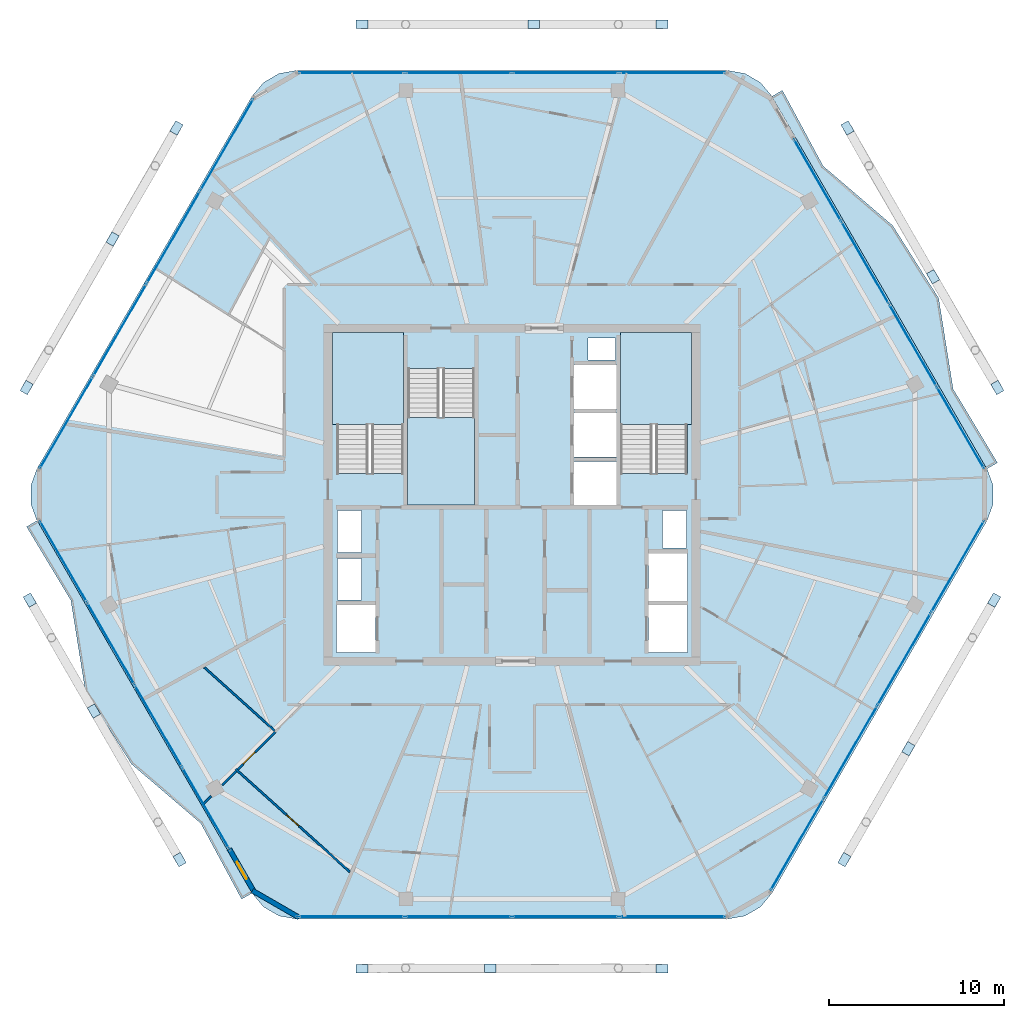
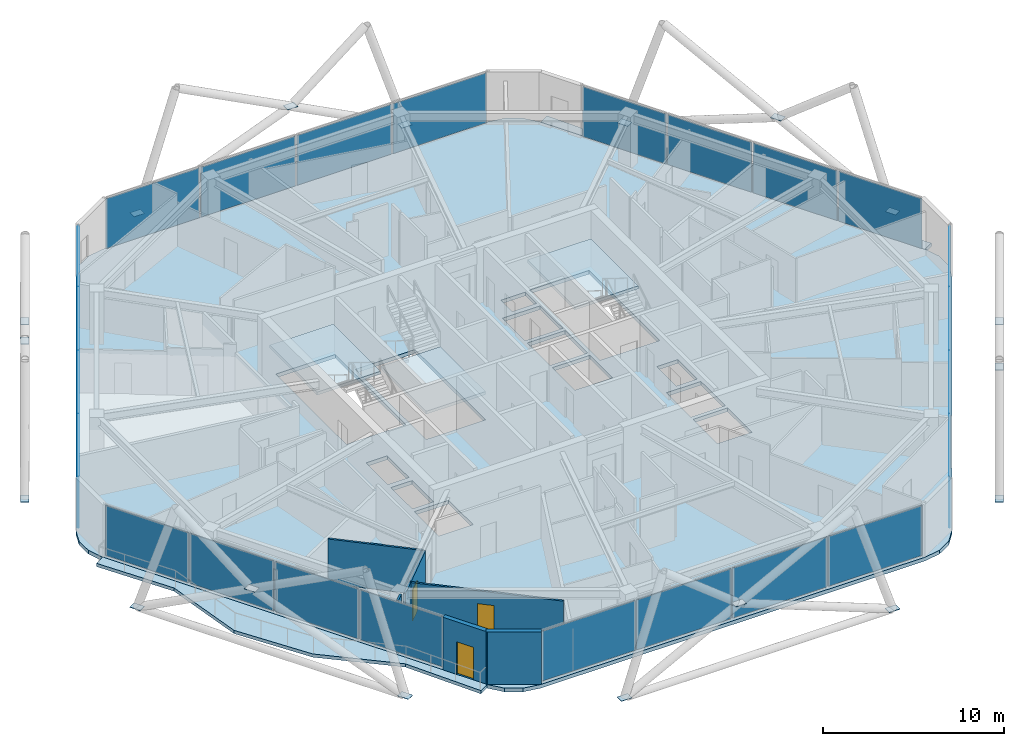
# One storey, part 15 of 23: 42 plates, 7 walls, 6 slabs, 3 doors, 3 openings, 9 elements without a shape of their own.
"""IFC4 building model written with IfcOpenShell, lengths in metres."""

from ifc_helpers import new_model, si_unit, direction, frame, frame_2d, origin, origin_2d, place, context, subcontext, project, spatial, polyline, rectangle, outline, extrude, material, layer, layer_set, type_object, element, fill, aggregate, save


model = new_model("IFC4")

# Units and contexts
model_context = context("Model", 3, precision=1e-05, world=origin(), true_north=direction((0.0, 1.0)))
body_context = subcontext(model_context, "Body", "Model", "MODEL_VIEW")
ifc_project = project(units=[si_unit("LENGTHUNIT", "METRE"), si_unit("AREAUNIT", "SQUARE_METRE"), si_unit("VOLUMEUNIT", "CUBIC_METRE"), si_unit("PLANEANGLEUNIT", "RADIAN"), si_unit("MASSUNIT", "GRAM", prefix="KILO")], contexts=[model_context])

# Site, building, storey
site_placement = place(None, origin())
site = spatial("IfcSite", under=ifc_project, at=site_placement, CompositionType="ELEMENT")
building_placement = place(site_placement, origin())
building = spatial("IfcBuilding", under=site, at=building_placement, Name="Zuhravey Tower", CompositionType="ELEMENT")
storey_placement = place(building_placement, frame((0.0, 0.0, 331.0)))
storey = spatial("IfcBuildingStorey", under=building, at=storey_placement, Name="L84", CompositionType="ELEMENT", Elevation=331.0)

# Plates
ifc_material_1 = material(Name="Steel SM460", Category="steel")
ifc_layer_1 = layer(ifc_material_1, 0.028076171875)
ifc_layer_set_1 = layer_set([ifc_layer_1], Name="Steel SM460")
plate_type_1 = type_object("IfcPlateType", Name="Exoskeleton Zone 4 Node Plate ND4", PredefinedType="SHEET", material=ifc_layer_set_1)
for number, where, z_axis, x_axis, name in (
    (1, (63.695556640625, 38.117919921875, -0.47802734375), (0.0, 0.0, 1.0), (-0.5, 0.866025403784, 0.0), "L84 Exoskeleton Node Gusset L84-01"),
    (2, (55.14599609375, 52.926025390625, -0.47802734375), (0.0, 0.0, 1.0), (-0.5, 0.866025403784, 0.0), "L84 Exoskeleton Node Gusset L84-02"),
    (3, (44.549560546875, 58.833984375, -0.47802734375), (0.0, 0.0, 1.0), (-1.0, 0.0, 0.0), "L84 Exoskeleton Node Gusset L84-03"),
    (4, (27.450439453125, 58.833984375, -0.47802734375), (0.0, 0.0, 1.0), (-1.0, 0.0, 0.0), "L84 Exoskeleton Node Gusset L84-04"),
    (5, (16.85400390625, 52.926025390625, -0.47802734375), (0.0, 0.0, 1.0), (-0.5, -0.866025403784, 0.0), "L84 Exoskeleton Node Gusset L84-05"),
    (6, (8.304443359375, 38.117919921875, -0.47802734375), (0.0, 0.0, 1.0), (-0.5, -0.866025403784, 0.0), "L84 Exoskeleton Node Gusset L84-06"),
    (7, (8.486328125, 25.987060546875, -0.47802734375), (0.0, 0.0, 1.0), (0.5, -0.866025403784, 0.0), "L84 Exoskeleton Node Gusset L84-07"),
    (8, (17.035888671875, 11.178955078125, -0.47802734375), (0.0, 0.0, 1.0), (0.5, -0.866025403784, 0.0), "L84 Exoskeleton Node Gusset L84-08"),
    (9, (27.450439453125, 4.955810546875, -0.47802734375), (0.0, 0.0, 1.0), (1.0, 0.0, 0.0), "L84 Exoskeleton Node Gusset L84-09"),
    (10, (44.549560546875, 4.955810546875, -0.47802734375), (0.0, 0.0, 1.0), (1.0, 0.0, 0.0), "L84 Exoskeleton Node Gusset L84-10"),
    (11, (54.964111328125, 11.178955078125, -0.47802734375), (0.0, 0.0, 1.0), (0.5, 0.866025403784, 0.0), "L84 Exoskeleton Node Gusset L84-11"),
    (12, (63.513671875, 25.987060546875, -0.47802734375), (0.0, 0.0, 1.0), (0.5, 0.866025403784, 0.0), "L84 Exoskeleton Node Gusset L84-12"),
    (13, (60.0283203125, 44.439697265625, 3.32177734375), (0.0, 0.0, 1.0), (-0.5, 0.866025403784, 0.0), "L84 Face 1 Diagrid X-Crossing Plate"),
    (14, (37.2412109375, 58.833984375, 3.32177734375), (0.0, 0.0, 1.0), (-1.0, 0.0, 0.0), "L84 Face 2 Diagrid X-Crossing Plate"),
    (15, (13.212646484375, 46.58935546875, 3.32177734375), (0.0, 0.0, 1.0), (-0.5, -0.866025403784, 0.0), "L84 Face 3 Diagrid X-Crossing Plate"),
    (16, (12.140380859375, 19.65771484375, 3.32177734375), (0.0, 0.0, 1.0), (0.5, -0.866025403784, 0.0), "L84 Face 4 Diagrid X-Crossing Plate"),
    (17, (34.7587890625, 4.970947265625, 3.32177734375), (0.0, 0.0, 1.0), (1.0, 0.0, 0.0), "L84 Face 5 Diagrid X-Crossing Plate"),
    (18, (58.618408203125, 17.50830078125, 3.32177734375), (0.0, 0.0, 1.0), (0.5, 0.866025403784, 0.0), "L84 Face 6 Diagrid X-Crossing Plate"),
):
    element("IfcPlate", number, at=place(storey_placement, frame(where, z_axis=z_axis, x_axis=x_axis)), inside=storey, type_object=plate_type_1, Name=name, PredefinedType="SHEET", context=body_context, shape_type="SweptSolid", body=[
        extrude(rectangle(XDim=0.679931640625, YDim=0.47998046875, at=origin_2d()), origin(), (0.0, 0.0, 1.0), 0.028076171875),
    ])

# Slabs
ifc_material_2 = material(Name="Concrete C50/60", Category="concrete")
ifc_layer_2 = layer(ifc_material_2, 0.25)
ifc_layer_set_2 = layer_set([ifc_layer_2], Name="Concrete C50/60")
slab_type_1 = type_object("IfcSlabType", Name="Residential Acoustic Slab 250", PredefinedType="FLOOR", material=ifc_layer_set_2)
slab_1_placement = place(storey_placement, frame((0.0, 0.0, -0.25)))
element("IfcSlab", 19, at=slab_1_placement, inside=storey, type_object=slab_type_1, Name="L84 Floor Slab FS25", PredefinedType="FLOOR", context=body_context, shape_type="SweptSolid", body=[
    extrude(outline(polyline([(63.1083984375, 30.52490234375), (63.458740234375, 31.48779296875), (63.458740234375, 32.51220703125), (63.1083984375, 33.47509765625), (50.83154296875, 54.739013671875), (50.173095703125, 55.52392578125), (49.285888671875, 56.0361328125), (48.27685546875, 56.214111328125), (23.72314453125, 56.214111328125), (22.714111328125, 56.0361328125), (21.826904296875, 55.52392578125), (21.16845703125, 54.739013671875), (8.8916015625, 33.47509765625), (8.541259765625, 32.51220703125), (8.541259765625, 31.48779296875), (8.8916015625, 30.52490234375), (21.16845703125, 9.260986328125), (21.826904296875, 8.47607421875), (22.714111328125, 7.9638671875), (23.72314453125, 7.785888671875), (48.27685546875, 7.785888671875), (49.285888671875, 7.9638671875), (50.173095703125, 8.47607421875), (50.83154296875, 9.260986328125), (63.1083984375, 30.52490234375)]), holes=[polyline([(29.800048828125, 33.20068359375), (29.800048828125, 41.0), (26.0, 41.0), (26.0, 33.20068359375), (29.800048828125, 33.20068359375)]), polyline([(46.0, 33.20068359375), (46.0, 41.0), (42.199951171875, 41.0), (42.199951171875, 33.20068359375), (46.0, 33.20068359375)]), polyline([(30.050048828125, 39.199462890625), (30.050048828125, 31.39990234375), (33.85009765625, 31.39990234375), (33.85009765625, 39.199462890625), (30.050048828125, 39.199462890625)]), polyline([(39.550048828125, 31.39990234375), (41.949951171875, 31.39990234375), (41.949951171875, 33.89990234375), (39.550048828125, 33.89990234375), (39.550048828125, 31.39990234375)]), polyline([(39.550048828125, 34.14990234375), (41.949951171875, 34.14990234375), (41.949951171875, 36.64990234375), (39.550048828125, 36.64990234375), (39.550048828125, 34.14990234375)]), polyline([(39.550048828125, 36.89990234375), (41.949951171875, 36.89990234375), (41.949951171875, 39.39990234375), (39.550048828125, 39.39990234375), (39.550048828125, 36.89990234375)]), polyline([(26.0, 23.0), (28.199951171875, 23.0), (28.199951171875, 25.699951171875), (26.0, 25.699951171875), (26.0, 23.0)]), polyline([(43.800048828125, 23.0), (46.0, 23.0), (46.0, 25.699951171875), (43.800048828125, 25.699951171875), (43.800048828125, 23.0)]), polyline([(43.800048828125, 25.949951171875), (46.0, 25.949951171875), (46.0, 28.64990234375), (43.800048828125, 28.64990234375), (43.800048828125, 25.949951171875)]), polyline([(26.050048828125, 26.0), (27.39990234375, 26.0), (27.39990234375, 28.35009765625), (26.050048828125, 28.35009765625), (26.050048828125, 26.0)]), polyline([(26.050048828125, 28.699951171875), (27.39990234375, 28.699951171875), (27.39990234375, 31.10009765625), (26.050048828125, 31.10009765625), (26.050048828125, 28.699951171875)]), polyline([(44.60009765625, 28.949951171875), (45.949951171875, 28.949951171875), (45.949951171875, 31.10009765625), (44.60009765625, 31.10009765625), (44.60009765625, 28.949951171875)]), polyline([(40.35009765625, 39.699951171875), (41.89990234375, 39.699951171875), (41.89990234375, 40.949951171875), (40.35009765625, 40.949951171875), (40.35009765625, 39.699951171875)])]), origin(), (0.0, 0.0, 1.0), 0.25),
])
ifc_material_3 = material(Name="Concrete C40/50", Category="concrete")
ifc_layer_3 = layer(ifc_material_3, 0.219970703125)
ifc_layer_set_3 = layer_set([ifc_layer_3], Name="Concrete C40/50")
slab_type_2 = type_object("IfcSlabType", Name="Sinusoidal Residential Wave Balcony 220", PredefinedType="FLOOR", material=ifc_layer_set_3)
slab_2_placement = place(storey_placement, frame((0.0, 0.0, -0.219970703125)))
element("IfcSlab", 20, at=slab_2_placement, inside=storey, type_object=slab_type_2, Name="L84 Face 1 Wave Balcony WB22", PredefinedType="FLOOR", context=body_context, shape_type="SweptSolid", body=[
    extrude(outline(polyline([(63.091064453125, 33.47509765625), (50.822998046875, 54.72412109375), (51.42919921875, 55.07421875), (53.7548828125, 50.75048828125), (57.71142578125, 47.368408203125), (60.341552734375, 43.220458984375), (61.169189453125, 38.031982421875), (63.697265625, 33.824951171875), (63.091064453125, 33.47509765625)])), origin(), (0.0, 0.0, 1.0), 0.219970703125),
])
slab_3_placement = place(storey_placement, frame((0.0, 0.0, -0.219970703125)))
element("IfcSlab", 21, at=slab_3_placement, inside=storey, type_object=slab_type_2, Name="L84 Face 4 Wave Balcony WB22", PredefinedType="FLOOR", context=body_context, shape_type="SweptSolid", body=[
    extrude(outline(polyline([(8.908935546875, 30.52490234375), (21.177001953125, 9.27587890625), (20.57080078125, 8.92578125), (18.2451171875, 13.24951171875), (14.28857421875, 16.631591796875), (11.658447265625, 20.779541015625), (10.830810546875, 25.968017578125), (8.302734375, 30.175048828125), (8.908935546875, 30.52490234375)])), origin(), (0.0, 0.0, 1.0), 0.219970703125),
])

# Stair, slab
stair_type = type_object("IfcStairType", Name="Housing Storey Stair Assembly 3800", PredefinedType="HALF_TURN_STAIR", material=ifc_material_3)
stair_1_placement = place(storey_placement, origin())
stair_1 = element("IfcStair", 22, at=stair_1_placement, inside=storey, type_object=stair_type, Name="L84 Core Exit Stair ST1", PredefinedType="HALF_TURN_STAIR")
ifc_layer_4 = layer(ifc_material_3, 0.199951171875)
ifc_layer_set_4 = layer_set([ifc_layer_4], Name="Concrete C40/50")
slab_type_3 = type_object("IfcSlabType", Name="Stair Landing Slab 200", PredefinedType="LANDING", material=ifc_layer_set_4)
slab_4_placement = place(storey_placement, frame((0.0, 0.0, 1.699951171875)))
slab_4 = element("IfcSlab", 23, at=slab_4_placement, type_object=slab_type_3, Name="ST1 landing 1", PredefinedType="LANDING", context=body_context, shape_type="SweptSolid", body=[
    extrude(outline(polyline([(29.800048828125, 36.0), (29.800048828125, 41.248046875), (25.751953125, 41.248046875), (25.751953125, 36.0), (29.800048828125, 36.0)])), origin(), (0.0, 0.0, 1.0), 0.199951171875),
])
aggregate(stair_1, [slab_4])

stair_2_placement = place(storey_placement, origin())
stair_2 = element("IfcStair", 24, at=stair_2_placement, inside=storey, type_object=stair_type, Name="L84 Core Exit Stair ST2", PredefinedType="HALF_TURN_STAIR")
slab_5_placement = place(storey_placement, frame((0.0, 0.0, 1.699951171875)))
slab_5 = element("IfcSlab", 25, at=slab_5_placement, type_object=slab_type_3, Name="ST2 landing 1", PredefinedType="LANDING", context=body_context, shape_type="SweptSolid", body=[
    extrude(outline(polyline([(46.248046875, 36.0), (46.248046875, 41.248046875), (42.199951171875, 41.248046875), (42.199951171875, 36.0), (46.248046875, 36.0)])), origin(), (0.0, 0.0, 1.0), 0.199951171875),
])
aggregate(stair_2, [slab_5])

stair_3_placement = place(storey_placement, origin())
stair_3 = element("IfcStair", 26, at=stair_3_placement, inside=storey, type_object=stair_type, Name="L84 Core Exit Stair ST3", PredefinedType="HALF_TURN_STAIR")
slab_6_placement = place(storey_placement, frame((0.0, 0.0, 1.699951171875)))
slab_6 = element("IfcSlab", 27, at=slab_6_placement, type_object=slab_type_3, Name="ST3 landing 1", PredefinedType="LANDING", context=body_context, shape_type="SweptSolid", body=[
    extrude(outline(polyline([(30.050048828125, 36.39990234375), (30.050048828125, 31.39990234375), (33.85009765625, 31.39990234375), (33.85009765625, 36.39990234375), (30.050048828125, 36.39990234375)])), origin(), (0.0, 0.0, 1.0), 0.199951171875),
])
aggregate(stair_3, [slab_6])

# Curtain wall, plates
ifc_material_4 = material(Name="Thermally broken anodised aluminium", Category="aluminium")
curtain_wall_type = type_object("IfcCurtainWallType", Name="Zone 3-4 High-Rise Curtain Wall CW4", PredefinedType="NOTDEFINED", material=ifc_material_4)
curtain_wall_1_placement = place(storey_placement, origin())
curtain_wall_1 = element("IfcCurtainWall", 28, at=curtain_wall_1_placement, inside=storey, type_object=curtain_wall_type, Name="L84 CW4 CW-L84-F6-1", PredefinedType="NOTDEFINED")
ifc_material_5 = material(Name="Triple low-E insulated vision glass", Category="glass")
ifc_layer_5 = layer(ifc_material_5, 0.0419921875)
ifc_layer_set_5 = layer_set([ifc_layer_5], Name="Triple low-E insulated vision glass")
plate_type_2 = type_object("IfcPlateType", Name="Triple Low-E Vision Panel", PredefinedType="CURTAIN_PANEL", material=ifc_layer_set_5)
plate_1_placement = place(storey_placement, frame((61.42724609375, 27.89306640625, 0.08984375), z_axis=(0.0, 0.0, 1.0), x_axis=(-0.49999981336, -0.866025511541, 0.0)))
plate_1 = element("IfcPlate", 29, at=plate_1_placement, type_object=plate_type_2, Name="CW4 panel 1.1", PredefinedType="CURTAIN_PANEL", context=body_context, shape_type="SweptSolid", body=[
    extrude(rectangle(XDim=5.984619140625, YDim=0.0419921875, at=origin_2d()), origin(), (0.0, 0.0, 1.0), 3.3701171875),
])
plate_2_placement = place(storey_placement, frame((58.378662109375, 22.61279296875, 0.08984375), z_axis=(0.0, 0.0, 1.0), x_axis=(-0.49999981336, -0.866025511541, 0.0)))
plate_2 = element("IfcPlate", 30, at=plate_2_placement, type_object=plate_type_2, Name="CW4 panel 2.1", PredefinedType="CURTAIN_PANEL", context=body_context, shape_type="SweptSolid", body=[
    extrude(rectangle(XDim=6.029541015625, YDim=0.0419921875, at=origin_2d()), origin(), (0.0, 0.0, 1.0), 3.3701171875),
])
plate_3_placement = place(storey_placement, frame((55.31884765625, 17.31298828125, 0.08984375), z_axis=(0.0, 0.0, 1.0), x_axis=(-0.49999981336, -0.866025511541, 0.0)))
plate_3 = element("IfcPlate", 31, at=plate_3_placement, type_object=plate_type_2, Name="CW4 panel 3.1", PredefinedType="CURTAIN_PANEL", context=body_context, shape_type="SweptSolid", body=[
    extrude(rectangle(XDim=6.029541015625, YDim=0.0419921875, at=origin_2d()), origin(), (0.0, 0.0, 1.0), 3.3701171875),
])
plate_4_placement = place(storey_placement, frame((52.270263671875, 12.03271484375, 0.08984375), z_axis=(0.0, 0.0, 1.0), x_axis=(-0.49999981336, -0.866025511541, 0.0)))
plate_4 = element("IfcPlate", 32, at=plate_4_placement, type_object=plate_type_2, Name="CW4 panel 4.1", PredefinedType="CURTAIN_PANEL", context=body_context, shape_type="SweptSolid", body=[
    extrude(rectangle(XDim=5.984619140625, YDim=0.0419921875, at=origin_2d()), origin(), (0.0, 0.0, 1.0), 3.3701171875),
])
aggregate(curtain_wall_1, [plate_1, plate_2, plate_3, plate_4])

curtain_wall_2_placement = place(storey_placement, origin())
curtain_wall_2 = element("IfcCurtainWall", 33, at=curtain_wall_2_placement, inside=storey, type_object=curtain_wall_type, Name="L84 CW4 CW-L84-F5-1", PredefinedType="NOTDEFINED")
plate_5_placement = place(storey_placement, frame((45.156982421875, 7.92578125, 0.08984375), z_axis=(0.0, 0.0, 1.0), x_axis=(-1.0, 0.0, 0.0)))
plate_5 = element("IfcPlate", 34, at=plate_5_placement, type_object=plate_type_2, Name="CW4 panel 1.1", PredefinedType="CURTAIN_PANEL", context=body_context, shape_type="SweptSolid", body=[
    extrude(rectangle(XDim=5.984619140625, YDim=0.0419921875, at=origin_2d()), origin(), (0.0, 0.0, 1.0), 3.3701171875),
])
plate_6_placement = place(storey_placement, frame((39.059814453125, 7.92578125, 0.08984375), z_axis=(0.0, 0.0, 1.0), x_axis=(-1.0, 0.0, 0.0)))
plate_6 = element("IfcPlate", 35, at=plate_6_placement, type_object=plate_type_2, Name="CW4 panel 2.1", PredefinedType="CURTAIN_PANEL", context=body_context, shape_type="SweptSolid", body=[
    extrude(rectangle(XDim=6.029541015625, YDim=0.0419921875, at=origin_2d()), origin(), (0.0, 0.0, 1.0), 3.3701171875),
])
plate_7_placement = place(storey_placement, frame((32.940185546875, 7.92578125, 0.08984375), z_axis=(0.0, 0.0, 1.0), x_axis=(-1.0, 0.0, 0.0)))
plate_7 = element("IfcPlate", 36, at=plate_7_placement, type_object=plate_type_2, Name="CW4 panel 3.1", PredefinedType="CURTAIN_PANEL", context=body_context, shape_type="SweptSolid", body=[
    extrude(rectangle(XDim=6.029541015625, YDim=0.0419921875, at=origin_2d()), origin(), (0.0, 0.0, 1.0), 3.3701171875),
])
plate_8_placement = place(storey_placement, frame((26.843017578125, 7.92578125, 0.08984375), z_axis=(0.0, 0.0, 1.0), x_axis=(-1.0, 0.0, 0.0)))
plate_8 = element("IfcPlate", 37, at=plate_8_placement, type_object=plate_type_2, Name="CW4 panel 4.1", PredefinedType="CURTAIN_PANEL", context=body_context, shape_type="SweptSolid", body=[
    extrude(rectangle(XDim=5.984619140625, YDim=0.0419921875, at=origin_2d()), origin(), (0.0, 0.0, 1.0), 3.3701171875),
])
aggregate(curtain_wall_2, [plate_5, plate_6, plate_7, plate_8])

curtain_wall_3_placement = place(storey_placement, origin())
curtain_wall_3 = element("IfcCurtainWall", 38, at=curtain_wall_3_placement, inside=storey, type_object=curtain_wall_type, Name="L84 CW4 CW-L84-F4-1", PredefinedType="NOTDEFINED")
plate_9_placement = place(storey_placement, frame((18.52490234375, 14.11962890625, 0.08984375), z_axis=(0.0, 0.0, 1.0), x_axis=(-0.500001105964, 0.866024765255, 0.0)))
plate_9 = element("IfcPlate", 39, at=plate_9_placement, type_object=plate_type_2, Name="CW4 panel 1.1", PredefinedType="CURTAIN_PANEL", context=body_context, shape_type="SweptSolid", body=[
    extrude(rectangle(XDim=5.296142578125, YDim=0.0419921875, at=origin_2d()), origin(), (0.0, 0.0, 1.0), 3.3701171875),
])
plate_10_placement = place(storey_placement, frame((15.820556640625, 18.8037109375, 0.08984375), z_axis=(0.0, 0.0, 1.0), x_axis=(-0.500001105964, 0.866024765255, 0.0)))
plate_10 = element("IfcPlate", 40, at=plate_10_placement, type_object=plate_type_2, Name="CW4 panel 2.1", PredefinedType="CURTAIN_PANEL", context=body_context, shape_type="SweptSolid", body=[
    extrude(rectangle(XDim=5.341064453125, YDim=0.0419921875, at=origin_2d()), origin(), (0.0, 0.0, 1.0), 3.3701171875),
])
plate_11_placement = place(storey_placement, frame((13.10498046875, 23.50732421875, 0.08984375), z_axis=(0.0, 0.0, 1.0), x_axis=(-0.500001105964, 0.866024765255, 0.0)))
plate_11 = element("IfcPlate", 41, at=plate_11_placement, type_object=plate_type_2, Name="CW4 panel 3.1", PredefinedType="CURTAIN_PANEL", context=body_context, shape_type="SweptSolid", body=[
    extrude(rectangle(XDim=5.341064453125, YDim=0.0419921875, at=origin_2d()), origin(), (0.0, 0.0, 1.0), 3.3701171875),
])
plate_12_placement = place(storey_placement, frame((10.400634765625, 28.191162109375, 0.08984375), z_axis=(0.0, 0.0, 1.0), x_axis=(-0.500001105964, 0.866024765255, 0.0)))
plate_12 = element("IfcPlate", 42, at=plate_12_placement, type_object=plate_type_2, Name="CW4 panel 4.1", PredefinedType="CURTAIN_PANEL", context=body_context, shape_type="SweptSolid", body=[
    extrude(rectangle(XDim=5.296142578125, YDim=0.0419921875, at=origin_2d()), origin(), (0.0, 0.0, 1.0), 3.3701171875),
])
aggregate(curtain_wall_3, [plate_9, plate_10, plate_11, plate_12])

curtain_wall_4_placement = place(storey_placement, origin())
curtain_wall_4 = element("IfcCurtainWall", 43, at=curtain_wall_4_placement, inside=storey, type_object=curtain_wall_type, Name="L84 CW4 CW-L84-F3-1", PredefinedType="NOTDEFINED")
plate_13_placement = place(storey_placement, frame((10.57275390625, 36.10693359375, 0.08984375), z_axis=(0.0, 0.0, 1.0), x_axis=(0.49999981336, 0.866025511541, 0.0)))
plate_13 = element("IfcPlate", 44, at=plate_13_placement, type_object=plate_type_2, Name="CW4 panel 1.1", PredefinedType="CURTAIN_PANEL", context=body_context, shape_type="SweptSolid", body=[
    extrude(rectangle(XDim=5.984619140625, YDim=0.0419921875, at=origin_2d()), origin(), (0.0, 0.0, 1.0), 3.3701171875),
])
plate_14_placement = place(storey_placement, frame((13.621337890625, 41.38720703125, 0.08984375), z_axis=(0.0, 0.0, 1.0), x_axis=(0.49999981336, 0.866025511541, 0.0)))
plate_14 = element("IfcPlate", 45, at=plate_14_placement, type_object=plate_type_2, Name="CW4 panel 2.1", PredefinedType="CURTAIN_PANEL", context=body_context, shape_type="SweptSolid", body=[
    extrude(rectangle(XDim=6.029541015625, YDim=0.0419921875, at=origin_2d()), origin(), (0.0, 0.0, 1.0), 3.3701171875),
])
plate_15_placement = place(storey_placement, frame((16.68115234375, 46.68701171875, 0.08984375), z_axis=(0.0, 0.0, 1.0), x_axis=(0.49999981336, 0.866025511541, 0.0)))
plate_15 = element("IfcPlate", 46, at=plate_15_placement, type_object=plate_type_2, Name="CW4 panel 3.1", PredefinedType="CURTAIN_PANEL", context=body_context, shape_type="SweptSolid", body=[
    extrude(rectangle(XDim=6.029541015625, YDim=0.0419921875, at=origin_2d()), origin(), (0.0, 0.0, 1.0), 3.3701171875),
])
plate_16_placement = place(storey_placement, frame((19.729736328125, 51.96728515625, 0.08984375), z_axis=(0.0, 0.0, 1.0), x_axis=(0.49999981336, 0.866025511541, 0.0)))
plate_16 = element("IfcPlate", 47, at=plate_16_placement, type_object=plate_type_2, Name="CW4 panel 4.1", PredefinedType="CURTAIN_PANEL", context=body_context, shape_type="SweptSolid", body=[
    extrude(rectangle(XDim=5.984619140625, YDim=0.0419921875, at=origin_2d()), origin(), (0.0, 0.0, 1.0), 3.3701171875),
])
aggregate(curtain_wall_4, [plate_13, plate_14, plate_15, plate_16])

curtain_wall_5_placement = place(storey_placement, origin())
curtain_wall_5 = element("IfcCurtainWall", 48, at=curtain_wall_5_placement, inside=storey, type_object=curtain_wall_type, Name="L84 CW4 CW-L84-F2-1", PredefinedType="NOTDEFINED")
plate_17_placement = place(storey_placement, frame((26.843017578125, 56.07421875, 0.08984375), z_axis=(0.0, 0.0, 1.0), x_axis=(1.0, 0.0, 0.0)))
plate_17 = element("IfcPlate", 49, at=plate_17_placement, type_object=plate_type_2, Name="CW4 panel 1.1", PredefinedType="CURTAIN_PANEL", context=body_context, shape_type="SweptSolid", body=[
    extrude(rectangle(XDim=5.984619140625, YDim=0.0419921875, at=origin_2d()), origin(), (0.0, 0.0, 1.0), 3.3701171875),
])
plate_18_placement = place(storey_placement, frame((32.940185546875, 56.07421875, 0.08984375), z_axis=(0.0, 0.0, 1.0), x_axis=(1.0, 0.0, 0.0)))
plate_18 = element("IfcPlate", 50, at=plate_18_placement, type_object=plate_type_2, Name="CW4 panel 2.1", PredefinedType="CURTAIN_PANEL", context=body_context, shape_type="SweptSolid", body=[
    extrude(rectangle(XDim=6.029541015625, YDim=0.0419921875, at=origin_2d()), origin(), (0.0, 0.0, 1.0), 3.3701171875),
])
plate_19_placement = place(storey_placement, frame((39.059814453125, 56.07421875, 0.08984375), z_axis=(0.0, 0.0, 1.0), x_axis=(1.0, 0.0, 0.0)))
plate_19 = element("IfcPlate", 51, at=plate_19_placement, type_object=plate_type_2, Name="CW4 panel 3.1", PredefinedType="CURTAIN_PANEL", context=body_context, shape_type="SweptSolid", body=[
    extrude(rectangle(XDim=6.029541015625, YDim=0.0419921875, at=origin_2d()), origin(), (0.0, 0.0, 1.0), 3.3701171875),
])
plate_20_placement = place(storey_placement, frame((45.156982421875, 56.07421875, 0.08984375), z_axis=(0.0, 0.0, 1.0), x_axis=(1.0, 0.0, 0.0)))
plate_20 = element("IfcPlate", 52, at=plate_20_placement, type_object=plate_type_2, Name="CW4 panel 4.1", PredefinedType="CURTAIN_PANEL", context=body_context, shape_type="SweptSolid", body=[
    extrude(rectangle(XDim=5.984619140625, YDim=0.0419921875, at=origin_2d()), origin(), (0.0, 0.0, 1.0), 3.3701171875),
])
aggregate(curtain_wall_5, [plate_17, plate_18, plate_19, plate_20])

curtain_wall_6_placement = place(storey_placement, origin())
curtain_wall_6 = element("IfcCurtainWall", 53, at=curtain_wall_6_placement, inside=storey, type_object=curtain_wall_type, Name="L84 CW4 CW-L84-F1-1", PredefinedType="NOTDEFINED")
plate_21_placement = place(storey_placement, frame((53.42919921875, 49.959716796875, 0.08984375), z_axis=(0.0, 0.0, 1.0), x_axis=(0.500001748638, -0.866024394206, 0.0)))
plate_21 = element("IfcPlate", 54, at=plate_21_placement, type_object=plate_type_2, Name="CW4 panel 1.1", PredefinedType="CURTAIN_PANEL", context=body_context, shape_type="SweptSolid", body=[
    extrude(rectangle(XDim=5.322265625, YDim=0.0419921875, at=origin_2d()), origin(), (0.0, 0.0, 1.0), 3.3701171875),
])
plate_22_placement = place(storey_placement, frame((56.146728515625, 45.253173828125, 0.08984375), z_axis=(0.0, 0.0, 1.0), x_axis=(0.500001748638, -0.866024394206, 0.0)))
plate_22 = element("IfcPlate", 55, at=plate_22_placement, type_object=plate_type_2, Name="CW4 panel 2.1", PredefinedType="CURTAIN_PANEL", context=body_context, shape_type="SweptSolid", body=[
    extrude(rectangle(XDim=5.367431640625, YDim=0.0419921875, at=origin_2d()), origin(), (0.0, 0.0, 1.0), 3.3701171875),
])
plate_23_placement = place(storey_placement, frame((58.875244140625, 40.52685546875, 0.08984375), z_axis=(0.0, 0.0, 1.0), x_axis=(0.500001748638, -0.866024394206, 0.0)))
plate_23 = element("IfcPlate", 56, at=plate_23_placement, type_object=plate_type_2, Name="CW4 panel 3.1", PredefinedType="CURTAIN_PANEL", context=body_context, shape_type="SweptSolid", body=[
    extrude(rectangle(XDim=5.367431640625, YDim=0.0419921875, at=origin_2d()), origin(), (0.0, 0.0, 1.0), 3.3701171875),
])
plate_24_placement = place(storey_placement, frame((61.5927734375, 35.820068359375, 0.08984375), z_axis=(0.0, 0.0, 1.0), x_axis=(0.500001748638, -0.866024394206, 0.0)))
plate_24 = element("IfcPlate", 57, at=plate_24_placement, type_object=plate_type_2, Name="CW4 panel 4.1", PredefinedType="CURTAIN_PANEL", context=body_context, shape_type="SweptSolid", body=[
    extrude(rectangle(XDim=5.322265625, YDim=0.0419921875, at=origin_2d()), origin(), (0.0, 0.0, 1.0), 3.3701171875),
])
aggregate(curtain_wall_6, [plate_21, plate_22, plate_23, plate_24])

# Wall
ifc_material_6 = material(Name="Precast concrete C40/50", Category="concrete")
ifc_layer_6 = layer(ifc_material_6, 0.280029296875)
ifc_layer_set_6 = layer_set([ifc_layer_6], Name="Precast concrete C40/50")
wall_type_1 = type_object("IfcWallType", Name="Crown Architectural Wall 280", PredefinedType="SOLIDWALL", material=ifc_layer_set_6)
wall_1_placement = place(storey_placement, frame((23.843017578125, 7.87841796875, 0.0), z_axis=(0.0, 0.0, 1.0), x_axis=(-0.866023752521, 0.50000286006, 0.0)))
element("IfcWall", 58, at=wall_1_placement, inside=storey, type_object=wall_type_1, Name="L84 Rounded Corner Closure Wall EW28-04", PredefinedType="SOLIDWALL", context=body_context, shape_type="SweptSolid", body=[
    extrude(rectangle(XDim=3.06494140625, YDim=0.280029296875, at=frame_2d((1.532470703125, 0.0))), origin(), (0.0, 0.0, 1.0), 3.550048828125),
])

# Wall, opening, door
wall_2_placement = place(storey_placement, frame((21.29345703125, 9.324462890625, 0.0), z_axis=(0.0, 0.0, 1.0), x_axis=(-0.500007283403, 0.866021198669, 0.0)))
wall_2 = element("IfcWall", 59, at=wall_2_placement, inside=storey, type_object=wall_type_1, Name="L84 Face 4 Facade Pier EW28-1", PredefinedType="SOLIDWALL", context=body_context, shape_type="SweptSolid", body=[
    extrude(rectangle(XDim=2.84423828125, YDim=0.280029296875, at=frame_2d((1.422119140625, 0.0))), origin(), (0.0, 0.0, 1.0), 3.550048828125),
])
opening_1_placement = place(wall_2_placement, frame((0.8720703125, 0.0, 0.0)))
opening_1 = element("IfcOpeningElement", 60, at=opening_1_placement, cuts=wall_2, Name="Opening BLD1", PredefinedType="OPENING", context=body_context, shape_type="SweptSolid", body=[
    extrude(rectangle(XDim=1.10009765625, YDim=2.199951171875, at=frame_2d((0.550048828125, 1.10009765625))), frame((0.0, 0.152099609375, 0.0), z_axis=(0.0, -1.0, 0.0), x_axis=(1.0, 0.0, 0.0)), (0.0, 0.0, 1.0), 0.303955078125),
])
ifc_material_7 = material(Name="Thermally broken aluminium and low-E glass", Category="aluminium")
door_type_1 = type_object("IfcDoorType", Name="Balcony & Sky-Tray Glazed Door 1100x2200", OperationType="NOTDEFINED", PredefinedType="DOOR", material=ifc_material_7)
door_1_placement = place(opening_1_placement, frame((1.10009765625, 0.0, 0.0), z_axis=(0.0, 0.0, 1.0), x_axis=(-1.0, 0.0, 0.0)))
door_1 = element("IfcDoor", 61, at=door_1_placement, inside=storey, type_object=door_type_1, Name="L84 Face 4 Wave Balcony Door", OperationType="SINGLE_SWING_LEFT", OverallHeight=2.199951171875, OverallWidth=1.10009765625, PredefinedType="DOOR", context=body_context, shape_type="SweptSolid", body=[
    extrude(rectangle(XDim=1.10009765625, YDim=2.199951171875, at=frame_2d((0.550048828125, 1.10009765625))), frame((0.0, 0.02490234375, 0.0), z_axis=(0.0, -1.0, 0.0), x_axis=(1.0, 0.0, 0.0)), (0.0, 0.0, 1.0), 0.050048828125),
])
fill(opening_1, door_1)

ifc_material_8 = material(Name="Gypsum metal-stud partition")
ifc_layer_7 = layer(ifc_material_8, 0.1201171875)
ifc_layer_set_7 = layer_set([ifc_layer_7], Name="Gypsum metal-stud partition")
wall_type_2 = type_object("IfcWallType", Name="Unit Internal Partition 120", PredefinedType="PARTITIONING", material=ifc_layer_set_7)
wall_3_placement = place(storey_placement, frame((20.2294921875, 16.348876953125, 0.0), z_axis=(0.0, 0.0, 1.0), x_axis=(0.743128113079, -0.669149166891, 0.0)))
wall_3 = element("IfcWall", 62, at=wall_3_placement, inside=storey, type_object=wall_type_2, Name="L84 IW12 Partition 028", PredefinedType="PARTITIONING", context=body_context, shape_type="SweptSolid", body=[
    extrude(rectangle(XDim=8.775146484375, YDim=0.1201171875, at=frame_2d((4.3876953125, 0.0))), origin(), (0.0, 0.0, 1.0), 2.969970703125),
])
opening_2_placement = place(wall_3_placement, frame((3.91259765625, 0.0, 0.0)))
opening_2 = element("IfcOpeningElement", 63, at=opening_2_placement, cuts=wall_3, Name="Opening IND1", PredefinedType="OPENING", context=body_context, shape_type="SweptSolid", body=[
    extrude(rectangle(XDim=0.949951171875, YDim=2.10009765625, at=frame_2d((0.47509765625, 1.050048828125))), frame((0.0, 0.072021484375, 0.0), z_axis=(0.0, -1.0, 0.0), x_axis=(1.0, 0.0, 0.0)), (0.0, 0.0, 1.0), 0.14404296875),
])
ifc_material_9 = material(Name="Painted engineered timber leaf", Category="wood")
door_type_2 = type_object("IfcDoorType", Name="Internal Room & Bedroom Door 950x2100", OperationType="NOTDEFINED", PredefinedType="DOOR", material=ifc_material_9)
door_2_placement = place(opening_2_placement, frame((0.949951171875, 0.0, 0.0), z_axis=(0.0, 0.0, 1.0), x_axis=(-1.0, 0.0, 0.0)))
door_2 = element("IfcDoor", 64, at=door_2_placement, inside=storey, type_object=door_type_2, Name="Apartment L84-03 Family Study Door", OperationType="SINGLE_SWING_RIGHT", OverallHeight=2.10009765625, OverallWidth=0.949951171875, PredefinedType="DOOR", context=body_context, shape_type="SweptSolid", body=[
    extrude(rectangle(XDim=0.949951171875, YDim=2.10009765625, at=frame_2d((0.47509765625, 1.050048828125))), frame((0.0, 0.02490234375, 0.0), z_axis=(0.0, -1.0, 0.0), x_axis=(1.0, 0.0, 0.0)), (0.0, 0.0, 1.0), 0.050048828125),
])
fill(opening_2, door_2)

wall_4_placement = place(storey_placement, frame((22.490966796875, 18.47216796875, 0.0), z_axis=(0.0, 0.0, 1.0), x_axis=(-0.706622737924, -0.707590493329, 0.0)))
wall_4 = element("IfcWall", 65, at=wall_4_placement, inside=storey, type_object=wall_type_2, Name="L84 IW12 Partition 030", PredefinedType="PARTITIONING", context=body_context, shape_type="SweptSolid", body=[
    extrude(rectangle(XDim=3.02734375, YDim=0.1201171875, at=frame_2d((1.513671875, 0.0))), origin(), (0.0, 0.0, 1.0), 3.0),
])
opening_3_placement = place(wall_4_placement, frame((1.640869140625, 0.0, 0.0)))
opening_3 = element("IfcOpeningElement", 66, at=opening_3_placement, cuts=wall_4, Name="Opening IND1", PredefinedType="OPENING", context=body_context, shape_type="SweptSolid", body=[
    extrude(rectangle(XDim=0.949951171875, YDim=2.10009765625, at=frame_2d((0.47509765625, 1.050048828125))), frame((0.0, 0.072021484375, 0.0), z_axis=(0.0, -1.0, 0.0), x_axis=(1.0, 0.0, 0.0)), (0.0, 0.0, 1.0), 0.14404296875),
])
door_3_placement = place(opening_3_placement, frame((0.949951171875, 0.0, 0.0), z_axis=(0.0, 0.0, 1.0), x_axis=(-1.0, 0.0, 0.0)))
door_3 = element("IfcDoor", 67, at=door_3_placement, inside=storey, type_object=door_type_2, Name="Apartment L84-03 Bedroom 1 Door", OperationType="SINGLE_SWING_RIGHT", OverallHeight=2.10009765625, OverallWidth=0.949951171875, PredefinedType="DOOR", context=body_context, shape_type="SweptSolid", body=[
    extrude(rectangle(XDim=0.949951171875, YDim=2.10009765625, at=frame_2d((0.47509765625, 1.050048828125))), frame((0.0, 0.02490234375, 0.0), z_axis=(0.0, -1.0, 0.0), x_axis=(1.0, 0.0, 0.0)), (0.0, 0.0, 1.0), 0.050048828125),
])
fill(opening_3, door_3)

# Walls
wall_5_placement = place(storey_placement, frame((20.255615234375, 16.233642578125, 0.0), z_axis=(0.0, 0.0, 1.0), x_axis=(-0.706560879492, -0.707652261758, 0.0)))
element("IfcWall", 68, at=wall_5_placement, inside=storey, type_object=wall_type_2, Name="L84 IW12 Partition 031", PredefinedType="PARTITIONING", context=body_context, shape_type="SweptSolid", body=[
    extrude(rectangle(XDim=1.118408203125, YDim=0.1201171875, at=frame_2d((0.55908203125, 0.0))), origin(), (0.0, 0.0, 1.0), 3.0),
])
wall_6_placement = place(storey_placement, frame((18.84228515625, 14.818359375, 0.0), z_axis=(0.0, 0.0, 1.0), x_axis=(-0.706543723632, -0.707669390744, 0.0)))
element("IfcWall", 69, at=wall_6_placement, inside=storey, type_object=wall_type_2, Name="L84 IW12 Partition 072", PredefinedType="PARTITIONING", context=body_context, shape_type="SweptSolid", body=[
    extrude(rectangle(XDim=0.650634765625, YDim=0.1201171875, at=frame_2d((0.3251953125, 0.0))), origin(), (0.0, 0.0, 1.0), 3.550048828125),
])
wall_7_placement = place(storey_placement, frame((18.447265625, 22.14697265625, 0.0), z_axis=(0.0, 0.0, 1.0), x_axis=(0.743118679311, -0.669159643478, 0.0)))
element("IfcWall", 70, at=wall_7_placement, inside=storey, type_object=wall_type_2, Name="L84 IW12 Partition 073", PredefinedType="PARTITIONING", context=body_context, shape_type="SweptSolid", body=[
    extrude(rectangle(XDim=5.397216796875, YDim=0.1201171875, at=frame_2d((2.69873046875, 0.0))), origin(), (0.0, 0.0, 1.0), 3.0),
])

save(model, "model.ifc")
